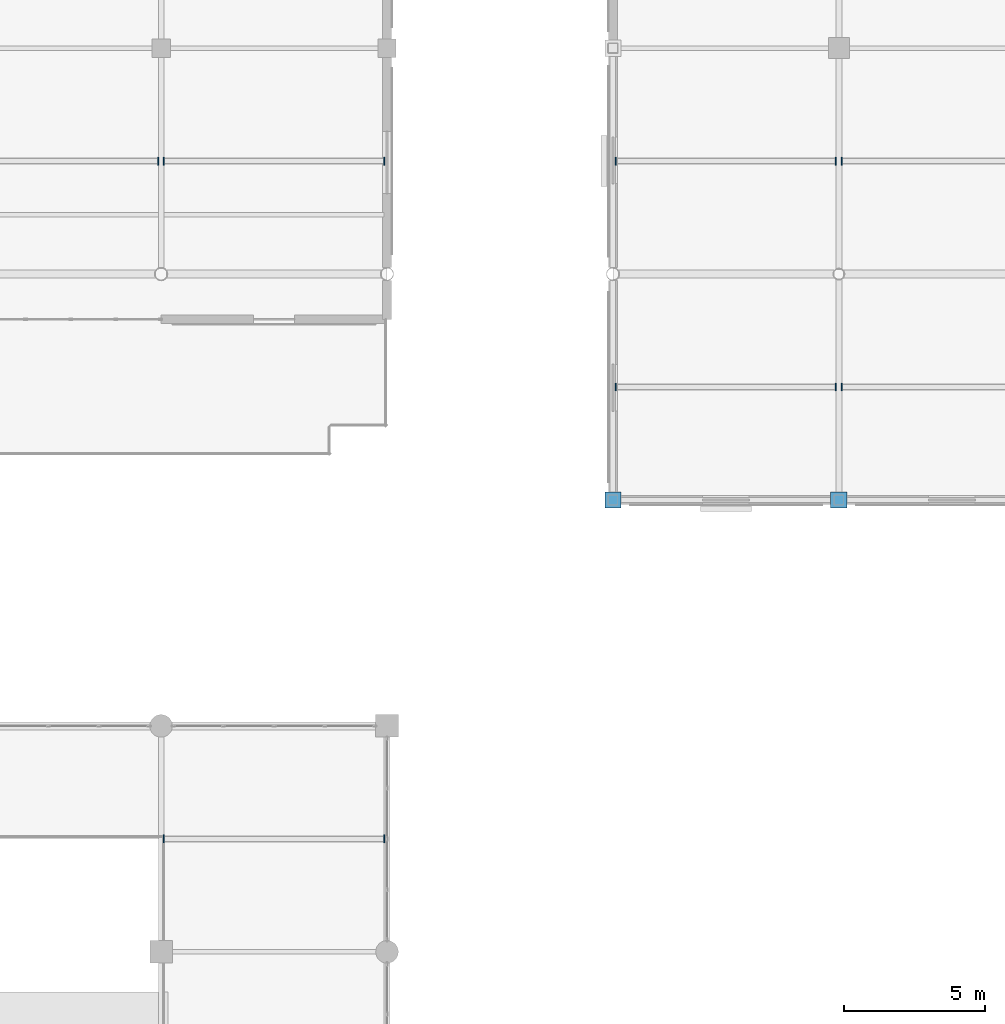
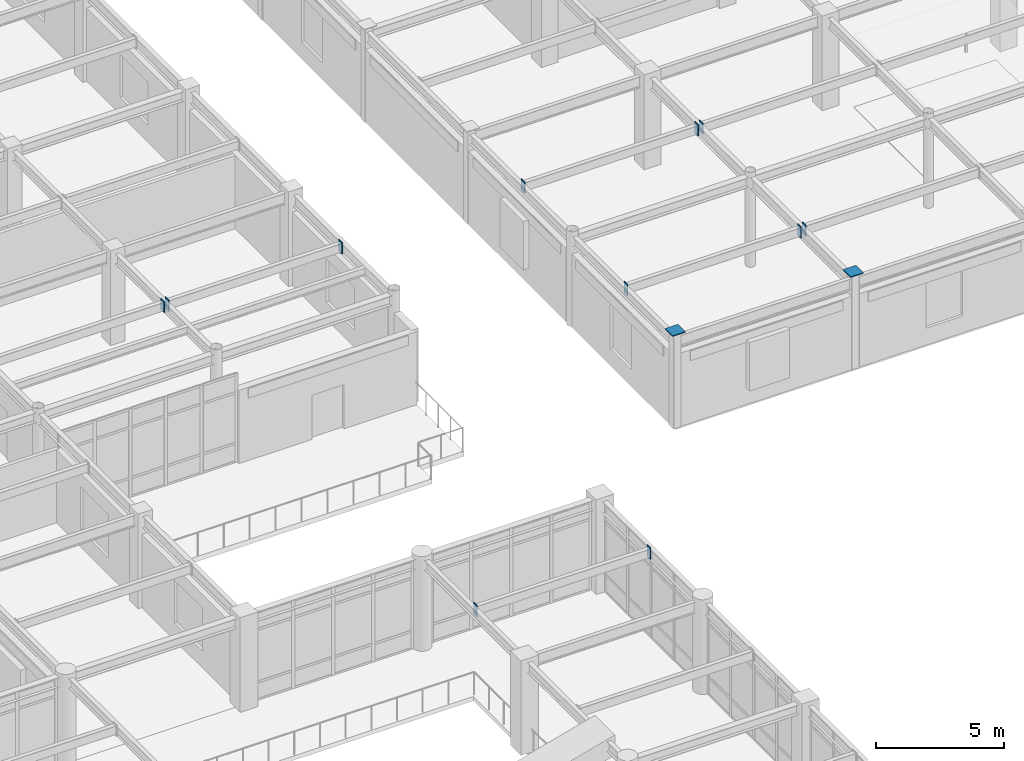
# One storey, part 76 of 93: 13 discrete accessories.
"""IFC4 building model written with IfcOpenShell, lengths in metres."""

from ifc_helpers import new_model, si_unit, direction, frame, origin, origin_2d, place, context, subcontext, project, spatial, rectangle, extrude, material, layer, layer_set, type_object, element, save


model = new_model("IFC4")

# Units and contexts
model_context = context("Model", 3, precision=1e-05, world=origin(), true_north=direction((0.0, 1.0)))
body_context = subcontext(model_context, "Body", "Model", "MODEL_VIEW")
ifc_project = project(units=[si_unit("LENGTHUNIT", "METRE"), si_unit("AREAUNIT", "SQUARE_METRE"), si_unit("VOLUMEUNIT", "CUBIC_METRE"), si_unit("PLANEANGLEUNIT", "RADIAN"), si_unit("MASSUNIT", "GRAM", prefix="KILO")], contexts=[model_context])

# Site, building, storey
site_placement = place(None, origin())
site = spatial("IfcSite", under=ifc_project, at=site_placement, CompositionType="ELEMENT")
building_placement = place(site_placement, origin())
building = spatial("IfcBuilding", under=site, at=building_placement, Name="Solmirada Galleria", CompositionType="ELEMENT")
storey_placement = place(building_placement, frame((0.0, 0.0, 14.89990234375)))
storey = spatial("IfcBuildingStorey", under=building, at=storey_placement, Name="L03", CompositionType="ELEMENT", Elevation=14.89990234375)

# Discrete accessories
ifc_material = material(Name="Steel S355 / ASTM A572 Grade 50", Category="steel")
ifc_layer = layer(ifc_material, 0.031982421875)
ifc_layer_set = layer_set([ifc_layer], Name="Steel S355 / ASTM A572 Grade 50")
discrete_accessory_type = type_object("IfcDiscreteAccessoryType", Name="ACC-COL-CAP", PredefinedType="BRACKET", material=ifc_layer_set)
for number, where, z_axis, x_axis, name in (
    (1, (120.0, 80.0, 4.494140625), (0.0, 0.0, 1.0), (1.0, 0.0, 0.0), "Hollow column cap plate L03-0975"),
    (2, (128.0, 80.0, 4.494140625), (0.0, 0.0, 1.0), (1.0, 0.0, 0.0), "Hollow column cap plate L03-1058"),
):
    element("IfcDiscreteAccessory", number, at=place(storey_placement, frame(where, z_axis=z_axis, x_axis=x_axis)), inside=storey, type_object=discrete_accessory_type, Name=name, PredefinedType="BRACKET", context=body_context, shape_type="SweptSolid", body=[
        extrude(rectangle(XDim=0.580078125, YDim=0.580078125, at=origin_2d()), origin(), (0.0, 0.0, 1.0), 0.035888671875),
    ])
for number, where, z_axis, x_axis, name in (
    (3, (103.903076171875, 92.0, 3.787109375), (0.0, 0.0, 1.0), (1.0, 0.0, 0.0), "Hollow joist end plate L04-13-12-R"),
    (4, (104.096923828125, 68.0, 3.8271484375), (0.0, 0.0, 1.0), (1.0, 0.0, 0.0), "Hollow joist end plate L04-14-09-L"),
    (5, (111.89501953125, 68.0, 3.8271484375), (0.0, 0.0, 1.0), (1.0, 0.0, 0.0), "Hollow joist end plate L04-14-09-R"),
    (6, (104.096923828125, 92.0, 3.787109375), (0.0, 0.0, 1.0), (1.0, 0.0, 0.0), "Hollow joist end plate L04-14-12-L"),
    (7, (111.89501953125, 92.0, 3.787109375), (0.0, 0.0, 1.0), (1.0, 0.0, 0.0), "Hollow joist end plate L04-14-12-R"),
    (8, (120.096923828125, 84.0, 3.787109375), (0.0, 0.0, 1.0), (1.0, 0.0, 0.0), "Hollow joist end plate L04-16-11-L"),
    (9, (127.89501953125, 84.0, 3.787109375), (0.0, 0.0, 1.0), (1.0, 0.0, 0.0), "Hollow joist end plate L04-16-11-R"),
    (10, (120.096923828125, 92.0, 3.787109375), (0.0, 0.0, 1.0), (1.0, 0.0, 0.0), "Hollow joist end plate L04-16-12-L"),
    (11, (127.89501953125, 92.0, 3.787109375), (0.0, 0.0, 1.0), (1.0, 0.0, 0.0), "Hollow joist end plate L04-16-12-R"),
    (12, (128.10498046875, 84.0, 3.787109375), (0.0, 0.0, 1.0), (1.0, 0.0, 0.0), "Hollow joist end plate L04-17-11-L"),
    (13, (128.10498046875, 92.0, 3.787109375), (0.0, 0.0, 1.0), (1.0, 0.0, 0.0), "Hollow joist end plate L04-17-12-L"),
):
    element("IfcDiscreteAccessory", number, at=place(storey_placement, frame(where, z_axis=z_axis, x_axis=x_axis)), inside=storey, type_object=discrete_accessory_type, Name=name, PredefinedType="BRACKET", context=body_context, shape_type="SweptSolid", body=[
        extrude(rectangle(XDim=0.035888671875, YDim=0.280029296875, at=origin_2d()), origin(), (0.0, 0.0, 1.0), 0.5400390625),
    ])

save(model, "model.ifc")
